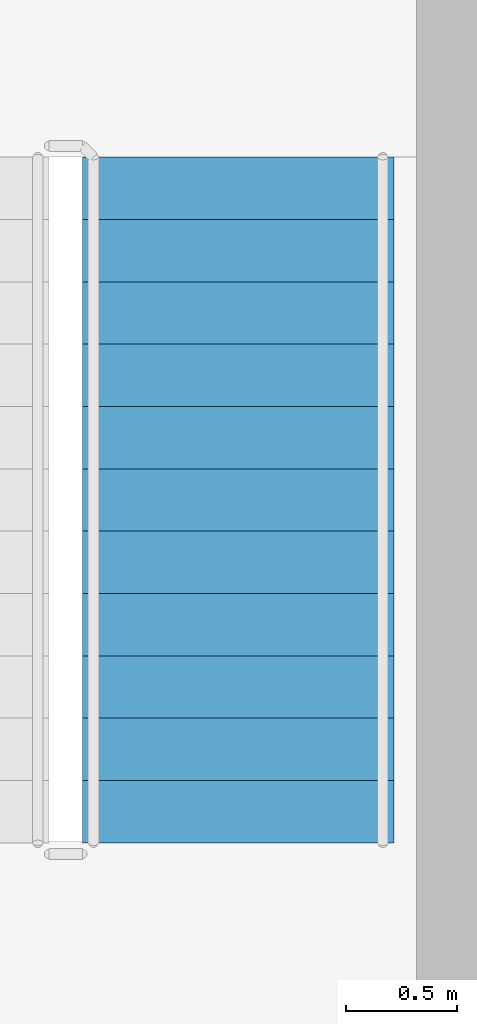
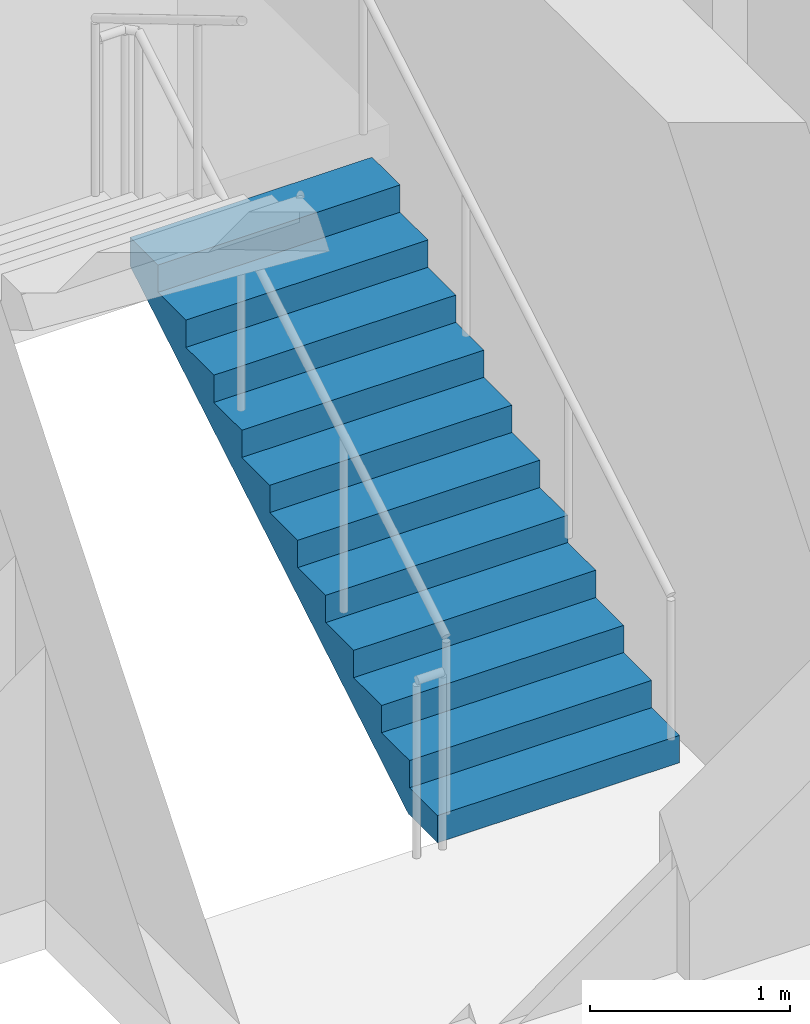
# One storey, part 11 of 14: 1 stair flight, 1 element without a shape of its own.
"""IFC4 building model written with IfcOpenShell, lengths in metres."""

from ifc_helpers import new_model, si_unit, direction, frame, origin, place, context, subcontext, project, spatial, polyline, outline, extrude, material, type_object, element, aggregate, save


model = new_model("IFC4")

# Units and contexts
model_context = context("Model", 3, precision=1e-05, world=origin(), true_north=direction((0.0, 1.0)))
body_context = subcontext(model_context, "Body", "Model", "MODEL_VIEW")
ifc_project = project(units=[si_unit("LENGTHUNIT", "METRE"), si_unit("AREAUNIT", "SQUARE_METRE"), si_unit("VOLUMEUNIT", "CUBIC_METRE"), si_unit("PLANEANGLEUNIT", "RADIAN"), si_unit("MASSUNIT", "GRAM", prefix="KILO")], contexts=[model_context])

# Site, building, storey
site_placement = place(None, origin())
site = spatial("IfcSite", under=ifc_project, at=site_placement, CompositionType="ELEMENT")
building_placement = place(site_placement, origin())
building = spatial("IfcBuilding", under=site, at=building_placement, Name="Mopane Tessera Tower", CompositionType="ELEMENT")
storey_placement = place(building_placement, frame((0.0, 0.0, 201.0)))
storey = spatial("IfcBuildingStorey", under=building, at=storey_placement, Name="L42", CompositionType="ELEMENT", Elevation=201.0)

# Stair, stair flight
ifc_material_1 = material(Name="Concrete C50/60", Category="concrete")
stair_type = type_object("IfcStairType", Name="Escape stair 1400 mm, riser 167 mm", PredefinedType="HALF_TURN_STAIR", material=ifc_material_1)
stair_placement = place(storey_placement, origin())
stair = element("IfcStair", 1, at=stair_placement, inside=storey, type_object=stair_type, Name="L42 Escape stair north-east", PredefinedType="HALF_TURN_STAIR")
ifc_material_2 = material(Name="Concrete C50/60", Category="concrete")
stair_flight_type = type_object("IfcStairFlightType", Name="Escape stair flight 1400 mm", PredefinedType="STRAIGHT", material=ifc_material_2)
stair_flight_placement = place(storey_placement, frame((13.0, 7.699951171875, 0.0), z_axis=(0.0, 0.0, 1.0), x_axis=(0.0, 1.0, 0.0)))
stair_flight = element("IfcStairFlight", 2, at=stair_flight_placement, type_object=stair_flight_type, Name="ST4 flight 1", NumberOfRisers=12, NumberOfTreads=11, PredefinedType="STRAIGHT", RiserHeight=0.166666667, TreadLength=0.28, context=body_context, shape_type="SweptSolid", body=[
    extrude(outline(polyline([(0.0, 0.0), (0.0, 0.166748046875), (0.280029296875, 0.166748046875), (0.280029296875, 0.333251953125), (0.56005859375, 0.333251953125), (0.56005859375, 0.5), (0.840087890625, 0.5), (0.840087890625, 0.666748046875), (1.1201171875, 0.666748046875), (1.1201171875, 0.833251953125), (1.39990234375, 0.833251953125), (1.39990234375, 1.0), (1.679931640625, 1.0), (1.679931640625, 1.166748046875), (1.9599609375, 1.166748046875), (1.9599609375, 1.333251953125), (2.239990234375, 1.333251953125), (2.239990234375, 1.5), (2.52001953125, 1.5), (2.52001953125, 1.666748046875), (2.800048828125, 1.666748046875), (2.800048828125, 1.833251953125), (3.080078125, 1.833251953125), (3.080078125, 2.0), (3.080078125, 1.658935546875), (0.29296875, 0.0), (0.0, 0.0)])), frame((0.0, 0.699951171875, 0.0), z_axis=(0.0, -1.0, 0.0), x_axis=(1.0, 0.0, 0.0)), (0.0, 0.0, 1.0), 1.39990234375),
])
aggregate(stair, [stair_flight])

save(model, "model.ifc")
